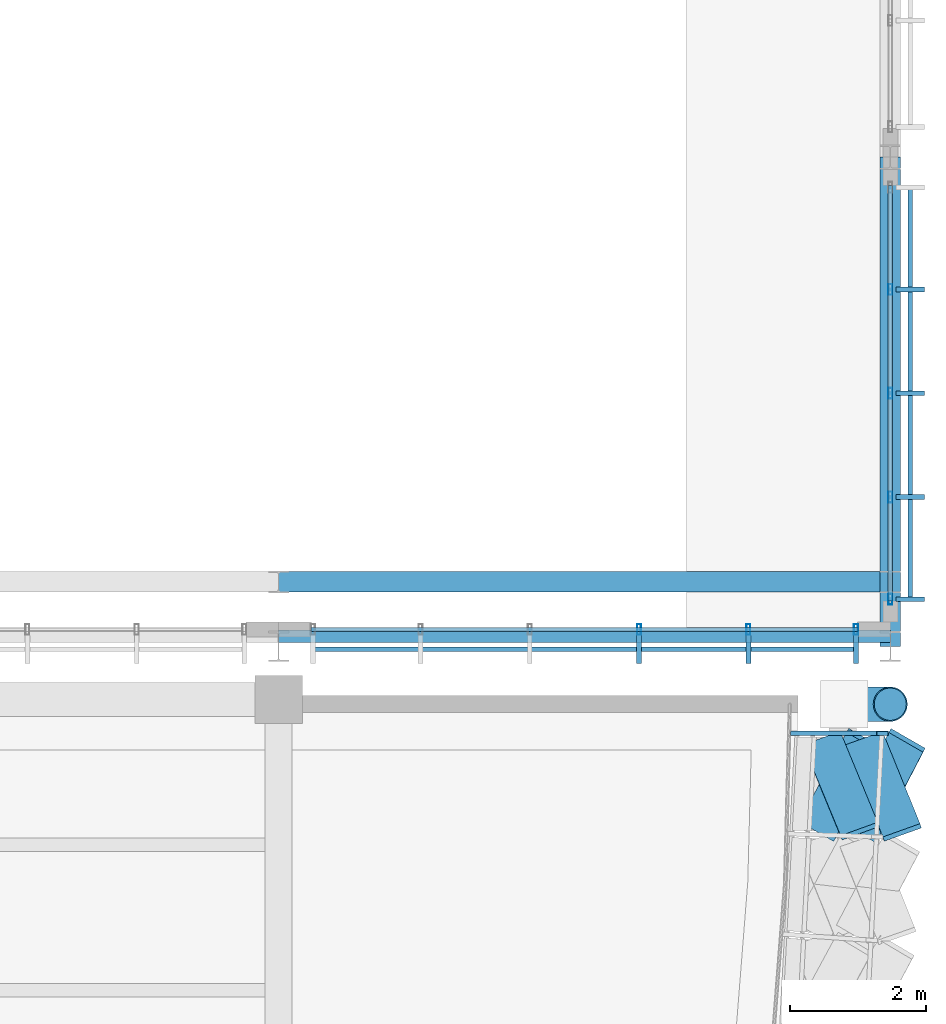
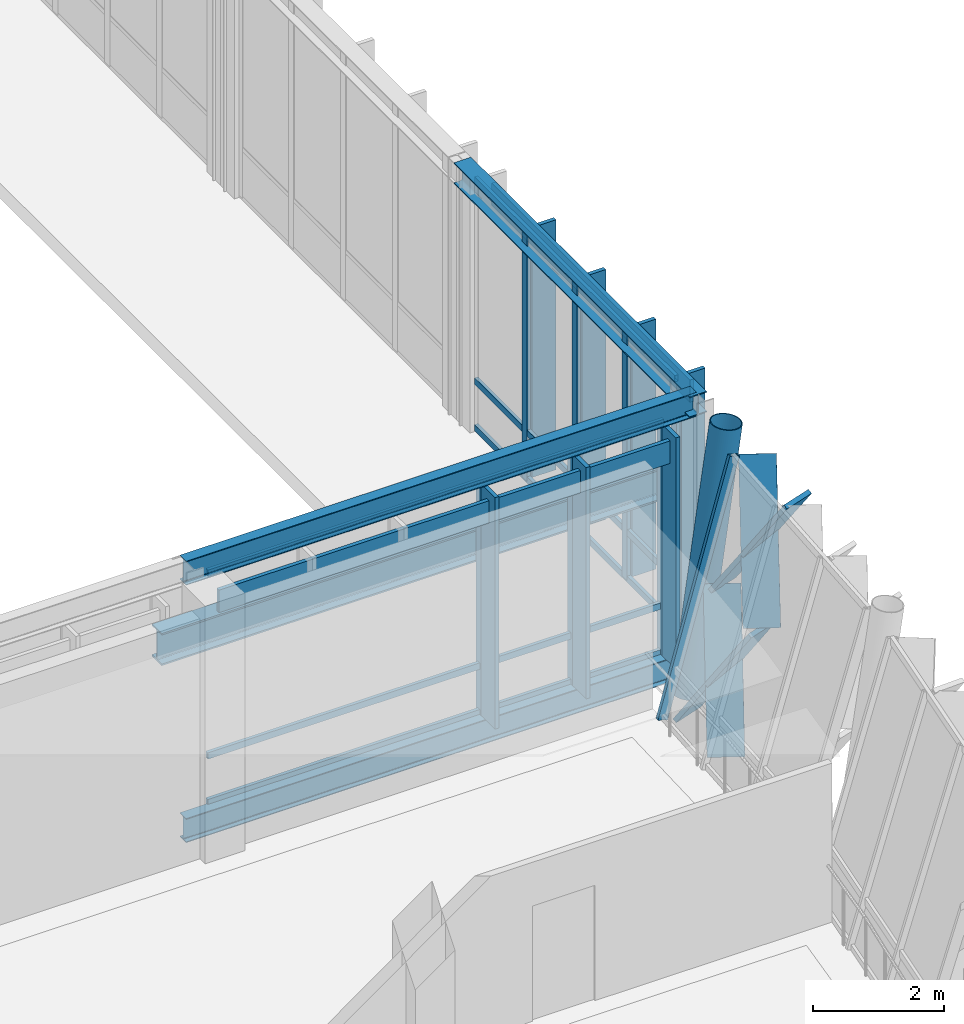
# One storey, part 100 of 177: 28 members, 4 beams, 3 elements without a shape of their own.
"""IFC4 building model written with IfcOpenShell, lengths in metres."""

from ifc_helpers import new_model, si_unit, direction, frame, origin, origin_2d, place, context, subcontext, project, spatial, rectangle, hollow_rectangle, hollow_circle, i_section, extrude, material, material_profile, profile_set, type_object, element, aggregate, save


model = new_model("IFC4")

# Units and contexts
model_context = context("Model", 3, precision=1e-05, world=origin(), true_north=direction((0.0, 1.0)))
body_context = subcontext(model_context, "Body", "Model", "MODEL_VIEW")
ifc_project = project(units=[si_unit("LENGTHUNIT", "METRE"), si_unit("AREAUNIT", "SQUARE_METRE"), si_unit("VOLUMEUNIT", "CUBIC_METRE"), si_unit("PLANEANGLEUNIT", "RADIAN"), si_unit("MASSUNIT", "GRAM", prefix="KILO")], contexts=[model_context])

# Site, building, storey
site_placement = place(None, origin())
site = spatial("IfcSite", under=ifc_project, at=site_placement, CompositionType="ELEMENT")
building_placement = place(site_placement, origin())
building = spatial("IfcBuilding", under=site, at=building_placement, Name="Chiffa Square Polytechnic", CompositionType="ELEMENT")
storey_placement = place(building_placement, frame((0.0, 0.0, 4.800048828125)))
storey = spatial("IfcBuildingStorey", under=building, at=storey_placement, Name="L01", CompositionType="ELEMENT", Elevation=4.800048828125)

# Beams
ifc_material_1 = material(Name="Steel S355", Category="steel")
ifc_material_profile_1 = material_profile(ifc_material_1, i_section(OverallWidth=0.300048828125, OverallDepth=0.389892578125, WebThickness=0.010986328125, FlangeThickness=0.01904296875, FilletRadius=0.027099609375, at=origin_2d()), Name="HEA 400")
ifc_profile_set_1 = profile_set([ifc_material_profile_1], Name="Steel S355")
beam_type_1 = type_object("IfcBeamType", Name="BM-STL-HEA400", PredefinedType="BEAM", material=ifc_profile_set_1)
beam_1_placement = place(storey_placement, frame((175.199951171875, 58.199951171875, 4.60498046875), z_axis=(0.0, 1.0, 0.0), x_axis=(-1.0, 0.0, 0.0)))
element("IfcBeam", 1, at=beam_1_placement, inside=storey, type_object=beam_type_1, Name="Workshop east gable tie girder BM-V2-GBLTIE-E1", PredefinedType="BEAM", context=body_context, shape_type="SweptSolid", body=[
    extrude(i_section(OverallWidth=0.300048828125, OverallDepth=0.389892578125, WebThickness=0.010986328125, FlangeThickness=0.01904296875, FilletRadius=0.027099609375, at=origin_2d()), origin(), (0.0, 0.0, 1.0), 7.199951171875),
])
ifc_material_profile_2 = material_profile(ifc_material_1, i_section(OverallWidth=0.18994140625, OverallDepth=0.449951171875, WebThickness=0.009521484375, FlangeThickness=0.0146484375, FilletRadius=0.02099609375, at=origin_2d()), Name="IPE 450")
ifc_profile_set_2 = profile_set([ifc_material_profile_2], Name="Steel S355")
beam_type_2 = type_object("IfcBeamType", Name="BM-STL-IPE450", PredefinedType="BEAM", material=ifc_profile_set_2)
for number, where, z_axis, x_axis, name in (
    (2, (166.199951171875, 58.35009765625, -0.22509765625), (1.0, 0.0, 0.0), (0.0, 1.0, 0.0), "Workshop south clerestory sill girder BM-V2-STIE-L01-5"),
    (3, (166.199951171875, 58.35009765625, 4.574951171875), (1.0, 0.0, 0.0), (0.0, 1.0, 0.0), "Workshop south eave tie girder BM-V2-STIE-L02-5"),
):
    element("IfcBeam", number, at=place(storey_placement, frame(where, z_axis=z_axis, x_axis=x_axis)), inside=storey, type_object=beam_type_2, Name=name, PredefinedType="BEAM", context=body_context, shape_type="SweptSolid", body=[
        extrude(i_section(OverallWidth=0.18994140625, OverallDepth=0.449951171875, WebThickness=0.009521484375, FlangeThickness=0.0146484375, FilletRadius=0.02099609375, at=origin_2d()), origin(), (0.0, 0.0, 1.0), 9.0),
    ])
ifc_material_profile_3 = material_profile(ifc_material_1, i_section(OverallWidth=0.300048828125, OverallDepth=0.60009765625, WebThickness=0.015380859375, FlangeThickness=0.030029296875, FilletRadius=0.027099609375, at=origin_2d()), Name="HEB 600")
ifc_profile_set_3 = profile_set([ifc_material_profile_3], Name="Steel S355")
beam_type_3 = type_object("IfcBeamType", Name="CG-STL-HEB600", PredefinedType="USERDEFINED", material=ifc_profile_set_3)
beam_2_placement = place(storey_placement, frame((166.199951171875, 59.14990234375, 2.699951171875), z_axis=(1.0, 0.0, 0.0), x_axis=(0.0, 1.0, 0.0)))
element("IfcBeam", 4, at=beam_2_placement, inside=storey, type_object=beam_type_3, Name="Bridge crane runway girder CG-V2-L01-S07", ObjectType="CRANE GIRDER", PredefinedType="USERDEFINED", context=body_context, shape_type="SweptSolid", body=[
    extrude(i_section(OverallWidth=0.300048828125, OverallDepth=0.60009765625, WebThickness=0.015380859375, FlangeThickness=0.030029296875, FilletRadius=0.027099609375, at=origin_2d()), origin(), (0.0, 0.0, 1.0), 9.0),
])

# Member
ifc_material_profile_4 = material_profile(ifc_material_1, hollow_circle(Radius=0.25390625, WallThickness=0.01611328125, at=origin_2d()), Name="CHS 508x16")
ifc_profile_set_4 = profile_set([ifc_material_profile_4], Name="Steel S355")
member_type_1 = type_object("IfcMemberType", Name="COL-VSTRUT-508", PredefinedType="STRUT", material=ifc_profile_set_4)
member_1_placement = place(storey_placement, frame((174.52099609375, 57.35009765625, 0.0), z_axis=(0.14005342156, 0.0, 0.990143948681), x_axis=(0.0, 1.0, 0.0)))
element("IfcMember", 5, at=member_1_placement, inside=storey, type_object=member_type_1, Name="Prow steel V-strut CV-V1-L01-09R", PredefinedType="STRUT", context=body_context, shape_type="SweptSolid", body=[
    extrude(hollow_circle(Radius=0.25390625, WallThickness=0.01611328125, at=origin_2d()), origin(), (0.0, 0.0, 1.0), 4.847900390625),
])

# Curtain wall, members
ifc_material_2 = material(Name="Aluminium EN AW-6060 T66 and glulam shading", Category="wood")
curtain_wall_type_1 = type_object("IfcCurtainWallType", Name="CW-VERT-360X380", PredefinedType="USERDEFINED", material=ifc_material_2)
curtain_wall_1_placement = place(storey_placement, origin())
curtain_wall_1 = element("IfcCurtainWall", 6, at=curtain_wall_1_placement, inside=storey, type_object=curtain_wall_type_1, Name="Curtain wall CW-V2-L01S-05", ObjectType="CURTAIN WALL", PredefinedType="USERDEFINED")
ifc_material_3 = material(Name="Aluminium EN AW-6060 T66", Category="aluminium")
ifc_material_profile_5 = material_profile(ifc_material_3, hollow_rectangle(XDim=0.06005859375, YDim=0.159912109375, WallThickness=0.00390625, at=origin_2d()), Name="ALU 60x160x4")
ifc_profile_set_5 = profile_set([ifc_material_profile_5], Name="Aluminium EN AW-6060 T66")
member_type_2 = type_object("IfcMemberType", Name="CWM-ALU-65X150", PredefinedType="MULLION", material=ifc_profile_set_5)
member_2_placement = place(storey_placement, frame((171.50390625, 58.449951171875, 0.0), z_axis=(0.0, 0.0, 1.0), x_axis=(1.0, 0.0, 0.0)))
member_2 = element("IfcMember", 7, at=member_2_placement, type_object=member_type_2, Name="Curtain wall mullion CW-V2-L01S-05-M03", PredefinedType="MULLION", context=body_context, shape_type="SweptSolid", body=[
    extrude(hollow_rectangle(XDim=0.06005859375, YDim=0.159912109375, WallThickness=0.00390625, at=origin_2d()), origin(), (0.0, 0.0, 1.0), 4.3349609375),
])
member_3_placement = place(storey_placement, frame((173.112060546875, 58.449951171875, 0.0), z_axis=(0.0, 0.0, 1.0), x_axis=(1.0, 0.0, 0.0)))
member_3 = element("IfcMember", 8, at=member_3_placement, type_object=member_type_2, Name="Curtain wall mullion CW-V2-L01S-05-M04", PredefinedType="MULLION", context=body_context, shape_type="SweptSolid", body=[
    extrude(hollow_rectangle(XDim=0.06005859375, YDim=0.159912109375, WallThickness=0.00390625, at=origin_2d()), origin(), (0.0, 0.0, 1.0), 4.3349609375),
])
member_4_placement = place(storey_placement, frame((174.695068359375, 58.449951171875, 0.0), z_axis=(0.0, 0.0, 1.0), x_axis=(1.0, 0.0, 0.0)))
member_4 = element("IfcMember", 9, at=member_4_placement, type_object=member_type_2, Name="Curtain wall mullion CW-V2-L01S-05-M05", PredefinedType="MULLION", context=body_context, shape_type="SweptSolid", body=[
    extrude(hollow_rectangle(XDim=0.06005859375, YDim=0.159912109375, WallThickness=0.00390625, at=origin_2d()), origin(), (0.0, 0.0, 1.0), 4.3349609375),
])

curtain_wall_type_2 = type_object("IfcCurtainWallType", Name="CW-VERT-600X440", PredefinedType="USERDEFINED", material=ifc_material_2)
curtain_wall_2_placement = place(storey_placement, origin())
curtain_wall_2 = element("IfcCurtainWall", 10, at=curtain_wall_2_placement, inside=storey, type_object=curtain_wall_type_2, Name="Curtain wall CW-V2-L01E-01", ObjectType="CURTAIN WALL", PredefinedType="USERDEFINED")
member_5_placement = place(storey_placement, frame((175.199951171875, 58.89501953125, 0.0400390625), z_axis=(0.0, 0.0, 1.0), x_axis=(1.0, 0.0, 0.0)))
member_5 = element("IfcMember", 11, at=member_5_placement, type_object=member_type_2, Name="Curtain wall mullion CW-V2-L01E-01-M00", PredefinedType="MULLION", context=body_context, shape_type="SweptSolid", body=[
    extrude(hollow_rectangle(XDim=0.06005859375, YDim=0.159912109375, WallThickness=0.00390625, at=origin_2d()), origin(), (0.0, 0.0, 1.0), 4.679931640625),
])
member_6_placement = place(storey_placement, frame((175.199951171875, 60.39794921875, 0.0400390625), z_axis=(0.0, 0.0, 1.0), x_axis=(1.0, 0.0, 0.0)))
member_6 = element("IfcMember", 12, at=member_6_placement, type_object=member_type_2, Name="Curtain wall mullion CW-V2-L01E-01-M01", PredefinedType="MULLION", context=body_context, shape_type="SweptSolid", body=[
    extrude(hollow_rectangle(XDim=0.06005859375, YDim=0.159912109375, WallThickness=0.00390625, at=origin_2d()), origin(), (0.0, 0.0, 1.0), 4.679931640625),
])
member_7_placement = place(storey_placement, frame((175.199951171875, 61.925048828125, 0.0400390625), z_axis=(0.0, 0.0, 1.0), x_axis=(1.0, 0.0, 0.0)))
member_7 = element("IfcMember", 13, at=member_7_placement, type_object=member_type_2, Name="Curtain wall mullion CW-V2-L01E-01-M02", PredefinedType="MULLION", context=body_context, shape_type="SweptSolid", body=[
    extrude(hollow_rectangle(XDim=0.06005859375, YDim=0.159912109375, WallThickness=0.00390625, at=origin_2d()), origin(), (0.0, 0.0, 1.0), 4.679931640625),
])
member_8_placement = place(storey_placement, frame((175.199951171875, 63.452880859375, 0.0400390625), z_axis=(0.0, 0.0, 1.0), x_axis=(1.0, 0.0, 0.0)))
member_8 = element("IfcMember", 14, at=member_8_placement, type_object=member_type_2, Name="Curtain wall mullion CW-V2-L01E-01-M03", PredefinedType="MULLION", context=body_context, shape_type="SweptSolid", body=[
    extrude(hollow_rectangle(XDim=0.06005859375, YDim=0.159912109375, WallThickness=0.00390625, at=origin_2d()), origin(), (0.0, 0.0, 1.0), 4.679931640625),
])

# Curtain wall, member
curtain_wall_type_3 = type_object("IfcCurtainWallType", Name="CW-PROW-LEAN-150", PredefinedType="USERDEFINED", material=ifc_material_2)
curtain_wall_3_placement = place(storey_placement, origin())
curtain_wall_3 = element("IfcCurtainWall", 15, at=curtain_wall_3_placement, inside=storey, type_object=curtain_wall_type_3, Name="Outward-leaning diamond-fin prow curtain wall CW-V1-L01-026", ObjectType="CURTAIN WALL", PredefinedType="USERDEFINED")
ifc_material_profile_6 = material_profile(ifc_material_3, hollow_rectangle(XDim=0.06494140625, YDim=0.179931640625, WallThickness=0.00390625, at=origin_2d()), Name="ALU 65x180x4")
ifc_profile_set_6 = profile_set([ifc_material_profile_6], Name="Aluminium EN AW-6060 T66")
member_type_3 = type_object("IfcMemberType", Name="CWM-ALU-75X180", PredefinedType="MULLION", material=ifc_profile_set_6)
member_9_placement = place(storey_placement, frame((173.819091796875, 56.9208984375, 0.0), z_axis=(0.272303229776, 0.0, 0.962211489774), x_axis=(0.0, 1.0, 0.0)))
member_9 = element("IfcMember", 16, at=member_9_placement, type_object=member_type_3, Name="Leaning prow mullion CW-V1-L01-026-M03", PredefinedType="MULLION", context=body_context, shape_type="SweptSolid", body=[
    extrude(hollow_rectangle(XDim=0.06494140625, YDim=0.179931640625, WallThickness=0.00390625, at=origin_2d()), origin(), (0.0, 0.0, 1.0), 4.656005859375),
])

# Member
ifc_material_4 = material(Name="Glulam GL28h", Category="wood")
ifc_material_profile_7 = material_profile(ifc_material_4, rectangle(XDim=0.070068359375, YDim=0.419921875, at=origin_2d()), Name="GL28h 70x420")
ifc_profile_set_7 = profile_set([ifc_material_profile_7], Name="Glulam GL28h")
member_type_4 = type_object("IfcMemberType", Name="CWM-GL-70X420", PredefinedType="MULLION", material=ifc_profile_set_7)
member_10_placement = place(storey_placement, frame((171.50390625, 58.157958984375, 0.010009765625), z_axis=(0.0, 0.0, 1.0), x_axis=(1.0, 0.0, 0.0)))
member_10 = element("IfcMember", 17, at=member_10_placement, type_object=member_type_4, Name="Exterior glulam solar fin CW-V2-L01S-05-FN03", PredefinedType="MULLION", context=body_context, shape_type="SweptSolid", body=[
    extrude(rectangle(XDim=0.070068359375, YDim=0.419921875, at=origin_2d()), origin(), (0.0, 0.0, 1.0), 4.31494140625),
])

member_11_placement = place(storey_placement, frame((173.112060546875, 58.157958984375, 0.010009765625), z_axis=(0.0, 0.0, 1.0), x_axis=(1.0, 0.0, 0.0)))
member_11 = element("IfcMember", 18, at=member_11_placement, type_object=member_type_4, Name="Exterior glulam solar fin CW-V2-L01S-05-FN04", PredefinedType="MULLION", context=body_context, shape_type="SweptSolid", body=[
    extrude(rectangle(XDim=0.070068359375, YDim=0.419921875, at=origin_2d()), origin(), (0.0, 0.0, 1.0), 4.31494140625),
])

member_12_placement = place(storey_placement, frame((174.695068359375, 58.157958984375, 0.010009765625), z_axis=(0.0, 0.0, 1.0), x_axis=(1.0, 0.0, 0.0)))
member_12 = element("IfcMember", 19, at=member_12_placement, type_object=member_type_4, Name="Exterior glulam solar fin CW-V2-L01S-05-FN05", PredefinedType="MULLION", context=body_context, shape_type="SweptSolid", body=[
    extrude(rectangle(XDim=0.070068359375, YDim=0.419921875, at=origin_2d()), origin(), (0.0, 0.0, 1.0), 4.31494140625),
])

member_13_placement = place(storey_placement, frame((175.491943359375, 58.89501953125, 0.050048828125), z_axis=(0.0, 0.0, 1.0), x_axis=(0.0, 1.0, 0.0)))
member_13 = element("IfcMember", 20, at=member_13_placement, type_object=member_type_4, Name="Exterior glulam solar fin CW-V2-L01E-01-FN00", PredefinedType="MULLION", context=body_context, shape_type="SweptSolid", body=[
    extrude(rectangle(XDim=0.070068359375, YDim=0.419921875, at=origin_2d()), origin(), (0.0, 0.0, 1.0), 4.659912109375),
])

member_14_placement = place(storey_placement, frame((175.491943359375, 60.39794921875, 0.050048828125), z_axis=(0.0, 0.0, 1.0), x_axis=(0.0, 1.0, 0.0)))
member_14 = element("IfcMember", 21, at=member_14_placement, type_object=member_type_4, Name="Exterior glulam solar fin CW-V2-L01E-01-FN01", PredefinedType="MULLION", context=body_context, shape_type="SweptSolid", body=[
    extrude(rectangle(XDim=0.070068359375, YDim=0.419921875, at=origin_2d()), origin(), (0.0, 0.0, 1.0), 4.659912109375),
])

member_15_placement = place(storey_placement, frame((175.491943359375, 61.925048828125, 0.050048828125), z_axis=(0.0, 0.0, 1.0), x_axis=(0.0, 1.0, 0.0)))
member_15 = element("IfcMember", 22, at=member_15_placement, type_object=member_type_4, Name="Exterior glulam solar fin CW-V2-L01E-01-FN02", PredefinedType="MULLION", context=body_context, shape_type="SweptSolid", body=[
    extrude(rectangle(XDim=0.070068359375, YDim=0.419921875, at=origin_2d()), origin(), (0.0, 0.0, 1.0), 4.659912109375),
])

member_16_placement = place(storey_placement, frame((175.491943359375, 63.452880859375, 0.050048828125), z_axis=(0.0, 0.0, 1.0), x_axis=(0.0, 1.0, 0.0)))
member_16 = element("IfcMember", 23, at=member_16_placement, type_object=member_type_4, Name="Exterior glulam solar fin CW-V2-L01E-01-FN03", PredefinedType="MULLION", context=body_context, shape_type="SweptSolid", body=[
    extrude(rectangle(XDim=0.070068359375, YDim=0.419921875, at=origin_2d()), origin(), (0.0, 0.0, 1.0), 4.659912109375),
])

ifc_material_profile_8 = material_profile(ifc_material_4, rectangle(XDim=0.080078125, YDim=0.580078125, at=origin_2d()), Name="GL28h 80x580")
ifc_profile_set_8 = profile_set([ifc_material_profile_8], Name="Glulam GL28h")
member_type_5 = type_object("IfcMemberType", Name="CWM-GL-80X580", PredefinedType="MULLION", material=ifc_profile_set_8)
member_17_placement = place(storey_placement, frame((174.132080078125, 55.50390625, 0.0400390625), z_axis=(0.260272621555, 0.495437672197, 0.828733778386), x_axis=(-0.431221865113, -0.70831154908, 0.558876061832)))
member_17 = element("IfcMember", 24, at=member_17_placement, type_object=member_type_5, Name="Diamond glulam fin CW-V1-L01-026-DF05A", PredefinedType="MULLION", context=body_context, shape_type="SweptSolid", body=[
    extrude(rectangle(XDim=0.080078125, YDim=0.580078125, at=origin_2d()), origin(), (0.0, 0.0, 1.0), 2.654541015625),
])

member_18_placement = place(storey_placement, frame((174.200927734375, 56.820068359375, 0.0400390625), z_axis=(0.209650641683, -0.507853411984, 0.835542650245), x_axis=(-0.270014710188, 0.791233473899, 0.548672621938)))
member_18 = element("IfcMember", 25, at=member_18_placement, type_object=member_type_5, Name="Diamond glulam fin CW-V1-L01-026-DF05B", PredefinedType="MULLION", context=body_context, shape_type="SweptSolid", body=[
    extrude(rectangle(XDim=0.080078125, YDim=0.580078125, at=origin_2d()), origin(), (0.0, 0.0, 1.0), 2.633056640625),
])

member_19_placement = place(storey_placement, frame((174.7529296875, 55.48291015625, 2.239990234375), z_axis=(0.260067187938, 0.500988887225, 0.825454536988), x_axis=(-0.426240126177, -0.707507793234, 0.563695021575)))
member_19 = element("IfcMember", 26, at=member_19_placement, type_object=member_type_5, Name="Diamond glulam fin CW-V1-L01-026-DF06A", PredefinedType="MULLION", context=body_context, shape_type="SweptSolid", body=[
    extrude(rectangle(XDim=0.080078125, YDim=0.580078125, at=origin_2d()), origin(), (0.0, 0.0, 1.0), 2.6650390625),
])

member_20_placement = place(storey_placement, frame((174.822998046875, 56.819091796875, 2.239990234375), z_axis=(0.208879374894, -0.513191033851, 0.832468839969), x_axis=(-0.264927589405, 0.789720595517, 0.553312527771)))
member_20 = element("IfcMember", 27, at=member_20_placement, type_object=member_type_5, Name="Diamond glulam fin CW-V1-L01-026-DF06B", PredefinedType="MULLION", context=body_context, shape_type="SweptSolid", body=[
    extrude(rectangle(XDim=0.080078125, YDim=0.580078125, at=origin_2d()), origin(), (0.0, 0.0, 1.0), 2.642578125),
])

aggregate(curtain_wall_3, [member_9, member_17, member_18, member_19, member_20])

ifc_material_profile_9 = material_profile(ifc_material_3, hollow_rectangle(XDim=0.06005859375, YDim=0.1201171875, WallThickness=0.00390625, at=origin_2d()), Name="ALU 60x120x4")
ifc_profile_set_9 = profile_set([ifc_material_profile_9], Name="Aluminium EN AW-6060 T66")
member_type_6 = type_object("IfcMemberType", Name="CWT-ALU-65X120", PredefinedType="USERDEFINED", material=ifc_profile_set_9)
member_21_placement = place(storey_placement, frame((166.677978515625, 58.449951171875, 0.030029296875), z_axis=(1.0, 0.0, 0.0), x_axis=(0.0, 1.0, 0.0)))
member_21 = element("IfcMember", 28, at=member_21_placement, type_object=member_type_6, Name="Curtain wall transom CW-V2-L01S-05-T01", ObjectType="TRANSOM", PredefinedType="USERDEFINED", context=body_context, shape_type="SweptSolid", body=[
    extrude(hollow_rectangle(XDim=0.06005859375, YDim=0.1201171875, WallThickness=0.00390625, at=origin_2d()), origin(), (0.0, 0.0, 1.0), 8.0439453125),
])

member_22_placement = place(storey_placement, frame((166.677978515625, 58.449951171875, 0.89990234375), z_axis=(1.0, 0.0, 0.0), x_axis=(0.0, 1.0, 0.0)))
member_22 = element("IfcMember", 29, at=member_22_placement, type_object=member_type_6, Name="Curtain wall transom CW-V2-L01S-05-T02", ObjectType="TRANSOM", PredefinedType="USERDEFINED", context=body_context, shape_type="SweptSolid", body=[
    extrude(hollow_rectangle(XDim=0.06005859375, YDim=0.1201171875, WallThickness=0.00390625, at=origin_2d()), origin(), (0.0, 0.0, 1.0), 8.0439453125),
])

member_23_placement = place(storey_placement, frame((166.677978515625, 58.449951171875, 4.304931640625), z_axis=(1.0, 0.0, 0.0), x_axis=(0.0, 1.0, 0.0)))
member_23 = element("IfcMember", 30, at=member_23_placement, type_object=member_type_6, Name="Curtain wall transom CW-V2-L01S-05-T03", ObjectType="TRANSOM", PredefinedType="USERDEFINED", context=body_context, shape_type="SweptSolid", body=[
    extrude(hollow_rectangle(XDim=0.06005859375, YDim=0.1201171875, WallThickness=0.00390625, at=origin_2d()), origin(), (0.0, 0.0, 1.0), 8.0439453125),
])

member_24_placement = place(storey_placement, frame((175.199951171875, 58.867919921875, 0.070068359375), z_axis=(0.0, 1.0, 0.0), x_axis=(-1.0, 0.0, 0.0)))
member_24 = element("IfcMember", 31, at=member_24_placement, type_object=member_type_6, Name="Curtain wall transom CW-V2-L01E-01-T01", ObjectType="TRANSOM", PredefinedType="USERDEFINED", context=body_context, shape_type="SweptSolid", body=[
    extrude(hollow_rectangle(XDim=0.06005859375, YDim=0.1201171875, WallThickness=0.00390625, at=origin_2d()), origin(), (0.0, 0.0, 1.0), 6.114013671875),
])

member_25_placement = place(storey_placement, frame((175.199951171875, 58.867919921875, 0.93994140625), z_axis=(0.0, 1.0, 0.0), x_axis=(-1.0, 0.0, 0.0)))
member_25 = element("IfcMember", 32, at=member_25_placement, type_object=member_type_6, Name="Curtain wall transom CW-V2-L01E-01-T02", ObjectType="TRANSOM", PredefinedType="USERDEFINED", context=body_context, shape_type="SweptSolid", body=[
    extrude(hollow_rectangle(XDim=0.06005859375, YDim=0.1201171875, WallThickness=0.00390625, at=origin_2d()), origin(), (0.0, 0.0, 1.0), 6.114013671875),
])

member_26_placement = place(storey_placement, frame((175.199951171875, 58.867919921875, 4.68994140625), z_axis=(0.0, 1.0, 0.0), x_axis=(-1.0, 0.0, 0.0)))
member_26 = element("IfcMember", 33, at=member_26_placement, type_object=member_type_6, Name="Curtain wall transom CW-V2-L01E-01-T03", ObjectType="TRANSOM", PredefinedType="USERDEFINED", context=body_context, shape_type="SweptSolid", body=[
    extrude(hollow_rectangle(XDim=0.06005859375, YDim=0.1201171875, WallThickness=0.00390625, at=origin_2d()), origin(), (0.0, 0.0, 1.0), 6.114013671875),
])

ifc_material_profile_10 = material_profile(ifc_material_4, rectangle(XDim=0.070068359375, YDim=0.419921875, at=origin_2d()), Name="GL28h 70x420")
ifc_profile_set_10 = profile_set([ifc_material_profile_10], Name="Glulam GL28h")
member_type_7 = type_object("IfcMemberType", Name="CWT-GL-70X420", PredefinedType="USERDEFINED", material=ifc_profile_set_10)
member_27_placement = place(storey_placement, frame((166.705078125, 58.157958984375, 3.954833984375), z_axis=(1.0, 0.0, 0.0), x_axis=(0.0, 1.0, 0.0)))
member_27 = element("IfcMember", 34, at=member_27_placement, type_object=member_type_7, Name="Exterior glulam brise-soleil CW-V2-L01S-05-BS01", ObjectType="TRANSOM", PredefinedType="USERDEFINED", context=body_context, shape_type="SweptSolid", body=[
    extrude(rectangle(XDim=0.070068359375, YDim=0.419921875, at=origin_2d()), origin(), (0.0, 0.0, 1.0), 7.989990234375),
])

aggregate(curtain_wall_1, [member_2, member_10, member_3, member_11, member_4, member_12, member_21, member_22, member_23, member_27])

member_28_placement = place(storey_placement, frame((175.491943359375, 58.89501953125, 4.33984375), z_axis=(0.0, 1.0, 0.0), x_axis=(-1.0, 0.0, 0.0)))
member_28 = element("IfcMember", 35, at=member_28_placement, type_object=member_type_7, Name="Exterior glulam brise-soleil CW-V2-L01E-01-BS01", ObjectType="TRANSOM", PredefinedType="USERDEFINED", context=body_context, shape_type="SweptSolid", body=[
    extrude(rectangle(XDim=0.070068359375, YDim=0.419921875, at=origin_2d()), origin(), (0.0, 0.0, 1.0), 6.06005859375),
])

aggregate(curtain_wall_2, [member_5, member_13, member_6, member_14, member_7, member_15, member_8, member_16, member_24, member_25, member_26, member_28])

save(model, "model.ifc")
